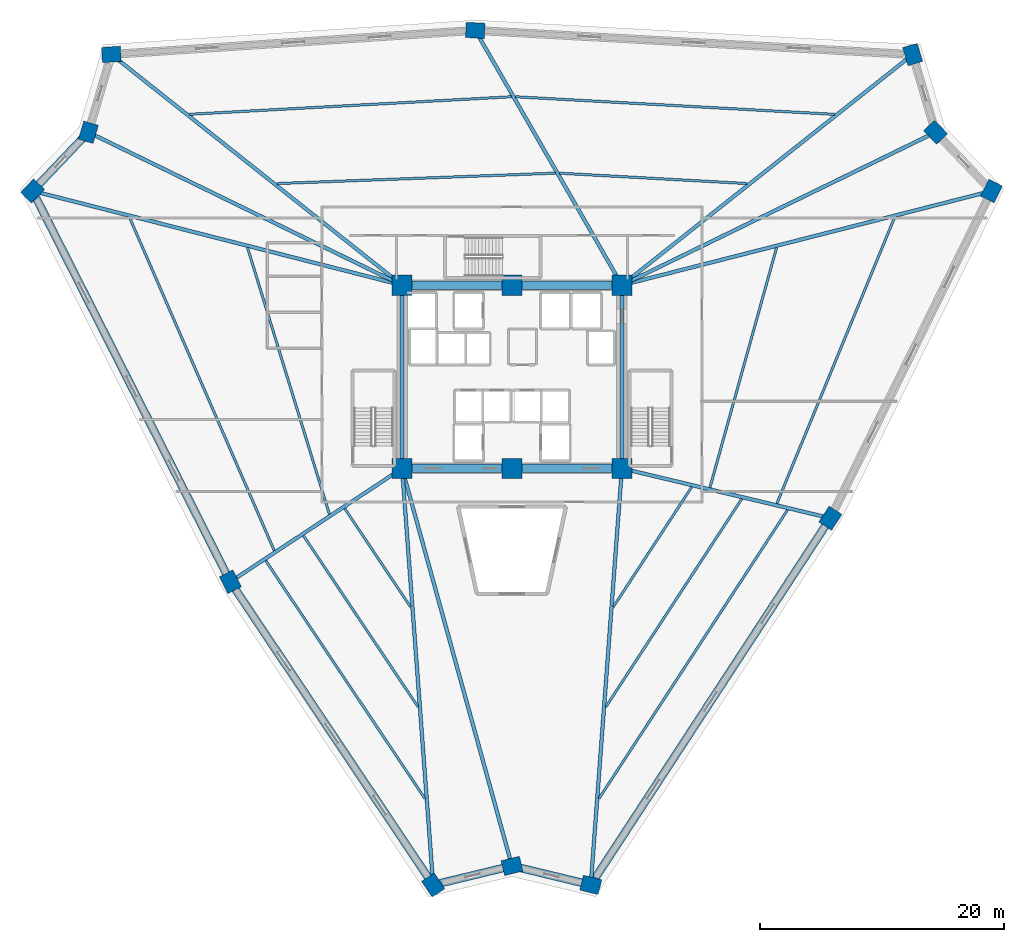
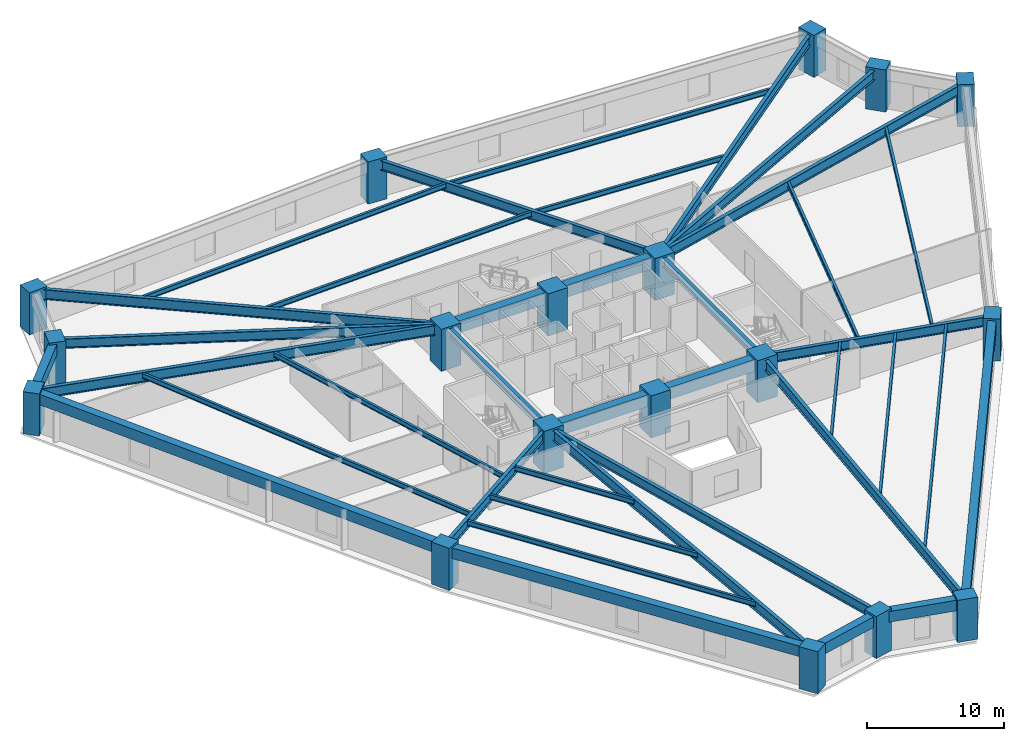
# One storey, part 1 of 8: 38 beams, 18 columns.
"""IFC4 building model written with IfcOpenShell, lengths in metres."""

import ifcopenshell
import ifcopenshell.guid

model = None  # the IFC model being written
_history = None  # IfcOwnerHistory: only IFC2X3 demands one
_inside = {}  # id of a spatial element -> (the spatial element, [elements in it])
_under = {}  # id of a project, library or spatial element -> (it, [spatial elements below it])
_declared = {}  # id of a project -> (the project, [libraries it declares])
_typed = {}  # id of a type object -> (the type object, [elements of that type])
_made_of = {}  # id of a material, layer set ... -> (it, [elements and type objects made of it])


def new_model(schema):
    """Start an empty IFC model of exactly this schema.

    Asked for "IFC4X3", IfcOpenShell would pick the latest addendum, in which some entities
    have other attributes; the version numbers below select the first issue.
    IFC2X3 requires an IfcOwnerHistory on every rooted entity: one is made here for all.
    """
    global model, _history
    if schema == "IFC4X3":
        model = ifcopenshell.file(schema_version=(4, 3, 0, 0))
    else:
        model = ifcopenshell.file(schema=schema)
    _inside.clear()
    _under.clear()
    _declared.clear()
    _typed.clear()
    _made_of.clear()
    _history = None
    if model.schema == "IFC2X3":
        org = make("IfcOrganization", Name="unknown")
        user = make(
            "IfcPersonAndOrganization",
            ThePerson=make("IfcPerson", FamilyName="unknown"),
            TheOrganization=org,
        )
        app = make(
            "IfcApplication",
            ApplicationDeveloper=org,
            Version="unknown",
            ApplicationFullName="unknown",
            ApplicationIdentifier="unknown",
        )
        _history = make(
            "IfcOwnerHistory",
            OwningUser=user,
            OwningApplication=app,
            ChangeAction="ADDED",
            CreationDate=0,
        )
    return model


def make(cls, **values):
    """One entity of the class cls with the attributes given. An attribute that is None is left unset."""
    return model.create_entity(
        cls, **{name: value for name, value in values.items() if value is not None}
    )


def rooted(cls, **values):
    """An entity with a GlobalId (a new one), such as an element, a storey or a relation."""
    return make(cls, GlobalId=ifcopenshell.guid.new(), OwnerHistory=_history, **values)


def si_unit(unit_type, name, prefix=None):
    """IfcSIUnit, for example si_unit("LENGTHUNIT", "METRE", prefix="MILLI")."""
    return make("IfcSIUnit", UnitType=unit_type, Prefix=prefix, Name=name)


def assignment(units):
    """IfcUnitAssignment: the units of a project."""
    return None if units is None else make("IfcUnitAssignment", Units=units)


def point(xyz):
    """IfcCartesianPoint."""
    return None if xyz is None else make("IfcCartesianPoint", Coordinates=xyz)


def direction(xyz):
    """IfcDirection."""
    return None if xyz is None else make("IfcDirection", DirectionRatios=xyz)


def frame(location, z_axis=None, x_axis=None):
    """IfcAxis2Placement3D, a coordinate frame: its origin and axes. An axis left out is left unset."""
    return make(
        "IfcAxis2Placement3D",
        Location=point(location),
        Axis=direction(z_axis),
        RefDirection=direction(x_axis),
    )


def frame_2d(location, x_axis=None):
    """IfcAxis2Placement2D, a coordinate frame in the plane: its origin and x axis."""
    return make(
        "IfcAxis2Placement2D", Location=point(location), RefDirection=direction(x_axis)
    )


def origin():
    """The frame at (0, 0, 0) with its axes left unset."""
    return frame((0.0, 0.0, 0.0))


def origin_2d():
    """The frame at (0, 0) in the plane with its x axis left unset."""
    return frame_2d((0.0, 0.0))


def place(relative_to, where):
    """IfcLocalPlacement: puts the frame where relative to a parent placement (None: the world)."""
    return make(
        "IfcLocalPlacement", PlacementRelTo=relative_to, RelativePlacement=where
    )


def context(
    kind, dimensions, precision=None, world=None, true_north=None, identifier=None
):
    """IfcGeometricRepresentationContext, for example the 3D "Model" context."""
    return make(
        "IfcGeometricRepresentationContext",
        ContextIdentifier=identifier,
        ContextType=kind,
        CoordinateSpaceDimension=dimensions,
        Precision=precision,
        WorldCoordinateSystem=world,
        TrueNorth=true_north,
    )


def subcontext(parent, identifier, kind, view, scale=None):
    """IfcGeometricRepresentationSubContext, for example "Body" below "Model"."""
    return make(
        "IfcGeometricRepresentationSubContext",
        ContextIdentifier=identifier,
        ContextType=kind,
        ParentContext=parent,
        TargetScale=scale,
        TargetView=view,
    )


def project(units=None, contexts=None):
    """IfcProject with its units and contexts."""
    return rooted(
        "IfcProject",
        Name="project",
        RepresentationContexts=contexts,
        UnitsInContext=assignment(units),
    )


def spatial(cls, under=None, at=None, **own):
    """A site, building, storey or space (cls), placed at a placement, below another one or the project."""
    s = rooted(cls, ObjectPlacement=at, **own)
    if under is not None:
        _under.setdefault(under.id(), (under, []))[1].append(s)
    return s


def profile(cls, at=None, kind="AREA", **sizes):
    """A parametric profile (cls). Its sizes go by their IFC names, for example OverallWidth=200.0."""
    return make(cls, ProfileType=kind, Position=at, **sizes)


def rectangle(**sizes):
    """IfcRectangleProfileDef."""
    return profile("IfcRectangleProfileDef", **sizes)


def i_section(**sizes):
    """IfcIShapeProfileDef."""
    return profile("IfcIShapeProfileDef", **sizes)


def extrude(swept, where, along, depth):
    """IfcExtrudedAreaSolid: the profile swept, set in the frame where, extruded along a direction by depth."""
    return make(
        "IfcExtrudedAreaSolid",
        SweptArea=swept,
        Position=where,
        ExtrudedDirection=direction(along),
        Depth=depth,
    )


def shape(context_of_items, identifier, shape_type, items):
    """IfcShapeRepresentation: the items that make up one representation, for example the "Body"."""
    return make(
        "IfcShapeRepresentation",
        ContextOfItems=context_of_items,
        RepresentationIdentifier=identifier,
        RepresentationType=shape_type,
        Items=items,
    )


def source(mapping_origin, context_of_items, identifier, shape_type, items):
    """IfcRepresentationMap: a shape defined once, which mapped items show again and again."""
    return make(
        "IfcRepresentationMap",
        MappingOrigin=mapping_origin,
        MappedRepresentation=shape(context_of_items, identifier, shape_type, items),
    )


def transform(
    local_origin,
    x_axis=None,
    y_axis=None,
    z_axis=None,
    scale=None,
    scale2=None,
    scale3=None,
    uniform=True,
):
    """IfcCartesianTransformationOperator3D, or its non-uniform kind. x_axis, y_axis, z_axis: its Axis1, 2, 3."""
    if uniform:
        return make(
            "IfcCartesianTransformationOperator3D",
            Axis1=direction(x_axis),
            Axis2=direction(y_axis),
            LocalOrigin=point(local_origin),
            Scale=scale,
            Axis3=direction(z_axis),
        )
    return make(
        "IfcCartesianTransformationOperator3DnonUniform",
        Axis1=direction(x_axis),
        Axis2=direction(y_axis),
        LocalOrigin=point(local_origin),
        Scale=scale,
        Axis3=direction(z_axis),
        Scale2=scale2,
        Scale3=scale3,
    )


def mapped(mapping_source, mapping_target):
    """IfcMappedItem: shows the shape of a source again, moved by a transform."""
    return make(
        "IfcMappedItem", MappingSource=mapping_source, MappingTarget=mapping_target
    )


def material(Name=None, Category=None):
    """IfcMaterial."""
    return make("IfcMaterial", Name=Name, Category=Category)


def material_profile(
    of_material, cross_section, Name=None, Category=None, Priority=None
):
    """IfcMaterialProfile: a cross section and its material."""
    return make(
        "IfcMaterialProfile",
        Name=Name,
        Material=of_material,
        Profile=cross_section,
        Priority=Priority,
        Category=Category,
    )


def profile_set(profiles, Name=None, composite=None):
    """IfcMaterialProfileSet."""
    return make(
        "IfcMaterialProfileSet",
        Name=Name,
        MaterialProfiles=profiles,
        CompositeProfile=composite,
    )


def made_of(thing, what):
    """Note that an element or type object is made of a material, layer set ...; save() writes the relation."""
    if what is not None:
        _made_of.setdefault(what.id(), (what, []))[1].append(thing)
    return thing


def type_object(cls, material=None, **own):
    """A type object (cls), such as IfcWallType, which elements share."""
    return made_of(rooted(cls, **own), material)


def element(
    cls,
    number,
    at=None,
    inside=None,
    cuts=None,
    type_object=None,
    material=None,
    context=None,
    identifier="Body",
    shape_type=None,
    held_by="IfcProductDefinitionShape",
    body=None,
    shapes=None,
    **own,
):
    """One element of the class cls, such as IfcWall. Its Tag is "e" and its number.

    at: its placement. inside: the storey or other place that contains it. cuts: it is an
    opening in that element (IfcRelVoidsElement). A single representation is given by context,
    identifier, shape_type and body (its items); several are given by shapes. held_by: the class
    of the entity that holds the representations. save() writes the other relations.
    """
    e = rooted(cls, Tag="e%d" % number, ObjectPlacement=at, **own)
    if body is not None:
        shapes = [shape(context, identifier, shape_type, body)]
    if shapes is not None:
        e.Representation = make(held_by, Representations=shapes)
    if inside is not None:
        _inside.setdefault(inside.id(), (inside, []))[1].append(e)
    if cuts is not None:
        rooted(
            "IfcRelVoidsElement", RelatingBuildingElement=cuts, RelatedOpeningElement=e
        )
    if type_object is not None:
        _typed.setdefault(type_object.id(), (type_object, []))[1].append(e)
    return made_of(e, material)


def aggregate(whole, parts):
    """IfcRelAggregates: a whole, such as a stair, and the parts it consists of."""
    return rooted("IfcRelAggregates", RelatingObject=whole, RelatedObjects=parts)


def save(model, path):
    """Write the relations noted so far, then the file.

    IfcRelAggregates (storeys below a building ...), IfcRelContainedInSpatialStructure (elements
    in a storey), IfcRelDefinesByType, IfcRelAssociatesMaterial and IfcRelDeclares: one each for
    every whole, place, type object, material and project.
    """
    for whole, parts in _under.values():
        aggregate(whole, parts)
    for where, things in _inside.values():
        rooted(
            "IfcRelContainedInSpatialStructure",
            RelatedElements=things,
            RelatingStructure=where,
        )
    for kind, things in _typed.values():
        rooted("IfcRelDefinesByType", RelatedObjects=things, RelatingType=kind)
    for what, things in _made_of.values():
        rooted("IfcRelAssociatesMaterial", RelatedObjects=things, RelatingMaterial=what)
    for by, libraries in _declared.values():
        rooted("IfcRelDeclares", RelatingContext=by, RelatedDefinitions=libraries)
    model.write(path)


model = new_model("IFC4")

# Units and contexts
model_context = context("Model", 3, precision=1e-05, world=origin(), true_north=direction((0.0, 1.0)))
body_context = subcontext(model_context, "Body", "Model", "MODEL_VIEW")
ifc_project = project(units=[si_unit("LENGTHUNIT", "METRE"), si_unit("AREAUNIT", "SQUARE_METRE"), si_unit("VOLUMEUNIT", "CUBIC_METRE"), si_unit("PLANEANGLEUNIT", "RADIAN"), si_unit("MASSUNIT", "GRAM", prefix="KILO")], contexts=[model_context])

# Site, building, storey
site_placement = place(None, origin())
site = spatial("IfcSite", under=ifc_project, at=site_placement, CompositionType="ELEMENT")
building_placement = place(site_placement, origin())
building = spatial("IfcBuilding", under=site, at=building_placement, Name="Liaohun Quay Tower", CompositionType="ELEMENT")
storey_placement = place(building_placement, frame((0.0, 0.0, 32.25)))
storey = spatial("IfcBuildingStorey", under=building, at=storey_placement, Name="L08", CompositionType="ELEMENT", Elevation=32.25)

# Columns
ifc_material_1 = material(Name="Concrete C60", Category="concrete")
ifc_material_profile_1 = material_profile(ifc_material_1, rectangle(XDim=1.64990234375, YDim=1.64990234375, at=origin_2d()), Name="RC1650x1650")
ifc_profile_set_1 = profile_set([ifc_material_profile_1], Name="Concrete C60")
column_type_1 = type_object("IfcColumnType", Name="COL-CC-Z1", PredefinedType="COLUMN", material=ifc_profile_set_1)
shared_shape_1 = source(origin(), body_context, "Body", "SweptSolid", [
    extrude(rectangle(XDim=1.64990234375, YDim=1.64990234375, at=origin_2d()), origin(), (0.0, 0.0, 1.0), 3.75),
])
for number, where, z_axis, x_axis, name in (
    (1, (51.0, 46.5, 0.0), (0.0, 0.0, 1.0), (1.0, 0.0, 0.0), "L08 Core Column CC1"),
    (2, (60.0, 46.5, 0.0), (0.0, 0.0, 1.0), (1.0, 0.0, 0.0), "L08 Core Column CC2"),
    (3, (69.0, 46.5, 0.0), (0.0, 0.0, 1.0), (1.0, 0.0, 0.0), "L08 Core Column CC3"),
    (4, (69.0, 61.5, 0.0), (0.0, 0.0, 1.0), (1.0, 0.0, 0.0), "L08 Core Column CC4"),
    (5, (60.0, 61.5, 0.0), (0.0, 0.0, 1.0), (1.0, 0.0, 0.0), "L08 Core Column CC5"),
    (6, (51.0, 61.5, 0.0), (0.0, 0.0, 1.0), (1.0, 0.0, 0.0), "L08 Core Column CC6"),
):
    element("IfcColumn", number, at=place(storey_placement, frame(where, z_axis=z_axis, x_axis=x_axis)), inside=storey, type_object=column_type_1, Name=name, PredefinedType="COLUMN", context=body_context, shape_type="MappedRepresentation", body=[
        mapped(shared_shape_1, transform((0.0, 0.0, 0.0), x_axis=(1.0, 0.0, 0.0), y_axis=(0.0, 1.0, 0.0), z_axis=(0.0, 0.0, 1.0), scale=1.0)),
    ])
ifc_material_profile_2 = material_profile(ifc_material_1, rectangle(XDim=1.550048828125, YDim=1.25, at=origin_2d()), Name="RC1550x1250")
ifc_profile_set_2 = profile_set([ifc_material_profile_2], Name="Concrete C60")
column_type_2 = type_object("IfcColumnType", Name="COL-PIER-Z1", PredefinedType="COLUMN", material=ifc_profile_set_2)
shared_shape_2 = source(origin(), body_context, "Body", "SweptSolid", [
    extrude(rectangle(XDim=1.550048828125, YDim=1.25, at=origin_2d()), origin(), (0.0, 0.0, 1.0), 3.75),
])
for number, where, z_axis, x_axis, name in (
    (7, (53.5458984375, 12.39697265625, 0.0), (0.0, 0.0, 1.0), (-0.556005513314, 0.831178602446, 0.0), "L08 Perimeter Pier PC01"),
    (8, (36.94091796875, 37.217041015625, 0.0), (0.0, 0.0, 1.0), (-0.451500573218, 0.892270829056, 0.0), "L08 Perimeter Pier PC02"),
    (9, (20.748046875, 69.217041015625, 0.0), (0.0, 0.0, 1.0), (0.68936671806, 0.724412539946, 0.0), "L08 Perimeter Pier PC03"),
    (10, (25.321044921875, 74.02197265625, 0.0), (0.0, 0.0, 1.0), (0.282676303383, 0.959215360337, 0.0), "L08 Perimeter Pier PC04"),
    (11, (27.198974609375, 80.39111328125, 0.0), (0.0, 0.0, 1.0), (0.997824541457, 0.065925597951, 0.0), "L08 Perimeter Pier PC05"),
    (12, (56.9951171875, 82.360107421875, 0.0), (0.0, 0.0, 1.0), (-0.998479491627, 0.055124448298, 0.0), "L08 Perimeter Pier PC06"),
    (13, (92.802978515625, 80.384033203125, 0.0), (0.0, 0.0, 1.0), (-0.282676303383, 0.959215360337, 0.0), "L08 Perimeter Pier PC07"),
    (14, (94.678955078125, 74.02197265625, 0.0), (0.0, 0.0, 1.0), (-0.68936671806, 0.724412539946, 0.0), "L08 Perimeter Pier PC08"),
    (15, (99.256103515625, 69.2119140625, 0.0), (0.0, 0.0, 1.0), (0.441819028143, 0.897104200397, 0.0), "L08 Perimeter Pier PC09"),
    (16, (86.06396484375, 42.423095703125, 0.0), (0.0, 0.0, 1.0), (0.546978918409, 0.837146380758, 0.0), "L08 Perimeter Pier PC10"),
    (17, (66.447998046875, 12.39892578125, 0.0), (0.0, 0.0, 1.0), (-0.972043021443, 0.234802820391, 0.0), "L08 Perimeter Pier PC11"),
    (18, (60.0, 13.9560546875, 0.0), (0.0, 0.0, 1.0), (0.972043021443, 0.234802820391, 0.0), "L08 Perimeter Pier PC12"),
):
    element("IfcColumn", number, at=place(storey_placement, frame(where, z_axis=z_axis, x_axis=x_axis)), inside=storey, type_object=column_type_2, Name=name, PredefinedType="COLUMN", context=body_context, shape_type="MappedRepresentation", body=[
        mapped(shared_shape_2, transform((0.0, 0.0, 0.0), x_axis=(1.0, 0.0, 0.0), y_axis=(0.0, 1.0, 0.0), z_axis=(0.0, 0.0, 1.0), scale=1.0)),
    ])

# Beams
ifc_material_profile_3 = material_profile(ifc_material_1, rectangle(XDim=0.699951171875, YDim=1.050048828125, at=origin_2d()), Name="RC700x1050")
ifc_profile_set_3 = profile_set([ifc_material_profile_3], Name="Concrete C60")
beam_type_1 = type_object("IfcBeamType", Name="BM-CPL-1", PredefinedType="LINTEL", material=ifc_profile_set_3)
shared_shape_3 = source(origin(), body_context, "Body", "SweptSolid", [
    extrude(rectangle(XDim=0.699951171875, YDim=1.050048828125, at=origin_2d()), origin(), (0.0, 0.0, 1.0), 9.0),
])
for number, where, z_axis, x_axis, name in (
    (19, (51.0, 46.5, 3.044921875), (1.0, 0.0, 0.0), (0.0, 1.0, 0.0), "L08 Core Coupling/Ring Beam CC1-CC2"),
    (20, (60.0, 46.5, 3.044921875), (1.0, 0.0, 0.0), (0.0, 1.0, 0.0), "L08 Core Coupling/Ring Beam CC2-CC3"),
    (21, (69.0, 61.5, 3.044921875), (-1.0, 0.0, 0.0), (0.0, -1.0, 0.0), "L08 Core Coupling/Ring Beam CC4-CC5"),
    (22, (60.0, 61.5, 3.044921875), (-1.0, 0.0, 0.0), (0.0, -1.0, 0.0), "L08 Core Coupling/Ring Beam CC5-CC6"),
):
    element("IfcBeam", number, at=place(storey_placement, frame(where, z_axis=z_axis, x_axis=x_axis)), inside=storey, type_object=beam_type_1, Name=name, PredefinedType="LINTEL", context=body_context, shape_type="MappedRepresentation", body=[
        mapped(shared_shape_3, transform((0.0, 0.0, 0.0), x_axis=(1.0, 0.0, 0.0), y_axis=(0.0, 1.0, 0.0), z_axis=(0.0, 0.0, 1.0), scale=1.0)),
    ])
ifc_material_2 = material(Name="Steel Q355D", Category="steel")
ifc_material_profile_4 = material_profile(ifc_material_2, i_section(OverallWidth=0.300048828125, OverallDepth=0.800048828125, WebThickness=0.013916015625, FlangeThickness=0.02587890625, at=origin_2d()), Name="HN800x300x14x26")
ifc_profile_set_4 = profile_set([ifc_material_profile_4], Name="Steel Q355D")
beam_type_2 = type_object("IfcBeamType", Name="BM-RAD-M1", PredefinedType="BEAM", material=ifc_profile_set_4)
shared_shape_4 = source(origin(), body_context, "Body", "SweptSolid", [
    extrude(i_section(OverallWidth=0.300048828125, OverallDepth=0.800048828125, WebThickness=0.013916015625, FlangeThickness=0.02587890625, at=origin_2d()), origin(), (0.0, 0.0, 1.0), 15.0),
])
for number, where, z_axis, x_axis, name in (
    (23, (69.0, 46.5, 3.169921875), (0.0, 1.0, 0.0), (-1.0, 0.0, 0.0), "L08 Core Coupling/Ring Beam CC3-CC4"),
    (24, (51.0, 61.5, 3.169921875), (0.0, -1.0, 0.0), (1.0, 0.0, 0.0), "L08 Core Coupling/Ring Beam CC6-CC1"),
):
    element("IfcBeam", number, at=place(storey_placement, frame(where, z_axis=z_axis, x_axis=x_axis)), inside=storey, type_object=beam_type_2, Name=name, PredefinedType="BEAM", context=body_context, shape_type="MappedRepresentation", body=[
        mapped(shared_shape_4, transform((0.0, 0.0, 0.0), x_axis=(1.0, 0.0, 0.0), y_axis=(0.0, 1.0, 0.0), z_axis=(0.0, 0.0, 1.0), scale=1.0)),
    ])
ifc_material_3 = material(Name="Precast concrete C55", Category="concrete")
ifc_material_profile_5 = material_profile(ifc_material_3, rectangle(XDim=0.64990234375, YDim=0.949951171875, at=origin_2d()), Name="RC650x950")
ifc_profile_set_5 = profile_set([ifc_material_profile_5], Name="Precast concrete C55")
beam_type_3 = type_object("IfcBeamType", Name="BM-SPD-Z1", PredefinedType="SPANDREL", material=ifc_profile_set_5)
shared_shape_5 = source(origin(), body_context, "Body", "SweptSolid", [
    extrude(rectangle(XDim=0.64990234375, YDim=0.949951171875, at=origin_2d()), origin(), (0.0, 0.0, 1.0), 29.8623046875),
])
beam_1_placement = place(storey_placement, frame((53.5458984375, 12.39697265625, 3.094970703125), z_axis=(-0.556050313847, 0.831148631997, 0.0), x_axis=(-0.831148631997, -0.556050313847, 0.0)))
element("IfcBeam", 25, at=beam_1_placement, inside=storey, type_object=beam_type_3, Name="L08 Precast Spandrel Beam PC01-PC02", PredefinedType="SPANDREL", context=body_context, shape_type="MappedRepresentation", body=[
    mapped(shared_shape_5, transform((0.0, 0.0, 0.0), x_axis=(1.0, 0.0, 0.0), y_axis=(0.0, 1.0, 0.0), z_axis=(0.0, 0.0, 1.0), scale=1.0)),
])
shared_shape_6 = source(origin(), body_context, "Body", "SweptSolid", [
    extrude(rectangle(XDim=0.64990234375, YDim=0.949951171875, at=origin_2d()), origin(), (0.0, 0.0, 1.0), 35.86376953125),
])
beam_2_placement = place(storey_placement, frame((36.94091796875, 37.217041015625, 3.094970703125), z_axis=(-0.451510728303, 0.892265690379, 0.0), x_axis=(-0.892265690379, -0.451510728303, 0.0)))
element("IfcBeam", 26, at=beam_2_placement, inside=storey, type_object=beam_type_3, Name="L08 Precast Spandrel Beam PC02-PC03", PredefinedType="SPANDREL", context=body_context, shape_type="MappedRepresentation", body=[
    mapped(shared_shape_6, transform((0.0, 0.0, 0.0), x_axis=(1.0, 0.0, 0.0), y_axis=(0.0, 1.0, 0.0), z_axis=(0.0, 0.0, 1.0), scale=1.0)),
])
shared_shape_7 = source(origin(), body_context, "Body", "SweptSolid", [
    extrude(rectangle(XDim=0.64990234375, YDim=0.949951171875, at=origin_2d()), origin(), (0.0, 0.0, 1.0), 6.63330078125),
])
for number, where, z_axis, x_axis, name in (
    (27, (20.748046875, 69.217041015625, 3.094970703125), (0.689407908081, 0.724373340395, 0.0), (-0.724373340395, 0.689407908081, 0.0), "L08 Precast Spandrel Beam PC03-PC04"),
    (28, (66.447998046875, 12.39892578125, 3.094970703125), (-0.97205759762, 0.234742469335, 0.0), (-0.234742469335, -0.97205759762, 0.0), "L08 Precast Spandrel Beam PC11-PC12"),
):
    element("IfcBeam", number, at=place(storey_placement, frame(where, z_axis=z_axis, x_axis=x_axis)), inside=storey, type_object=beam_type_3, Name=name, PredefinedType="SPANDREL", context=body_context, shape_type="MappedRepresentation", body=[
        mapped(shared_shape_7, transform((0.0, 0.0, 0.0), x_axis=(1.0, 0.0, 0.0), y_axis=(0.0, 1.0, 0.0), z_axis=(0.0, 0.0, 1.0), scale=1.0)),
    ])
shared_shape_8 = source(origin(), body_context, "Body", "SweptSolid", [
    extrude(rectangle(XDim=0.64990234375, YDim=0.949951171875, at=origin_2d()), origin(), (0.0, 0.0, 1.0), 35.8642578125),
])
beam_3_placement = place(storey_placement, frame((86.06396484375, 42.423095703125, 3.094970703125), z_axis=(-0.546952019075, -0.837163955764, 0.0), x_axis=(0.837163955764, -0.546952019075, 0.0)))
element("IfcBeam", 29, at=beam_3_placement, inside=storey, type_object=beam_type_3, Name="L08 Precast Spandrel Beam PC10-PC11", PredefinedType="SPANDREL", context=body_context, shape_type="MappedRepresentation", body=[
    mapped(shared_shape_8, transform((0.0, 0.0, 0.0), x_axis=(1.0, 0.0, 0.0), y_axis=(0.0, 1.0, 0.0), z_axis=(0.0, 0.0, 1.0), scale=1.0)),
])
shared_shape_9 = source(origin(), body_context, "Body", "SweptSolid", [
    extrude(rectangle(XDim=0.64990234375, YDim=0.949951171875, at=origin_2d()), origin(), (0.0, 0.0, 1.0), 6.6396484375),
])
beam_4_placement = place(storey_placement, frame((60.0, 13.9560546875, 3.094970703125), z_axis=(-0.972041127414, -0.234810661207, 0.0), x_axis=(0.234810661207, -0.972041127414, 0.0)))
element("IfcBeam", 30, at=beam_4_placement, inside=storey, type_object=beam_type_3, Name="L08 Precast Spandrel Beam PC12-PC01", PredefinedType="SPANDREL", context=body_context, shape_type="MappedRepresentation", body=[
    mapped(shared_shape_9, transform((0.0, 0.0, 0.0), x_axis=(1.0, 0.0, 0.0), y_axis=(0.0, 1.0, 0.0), z_axis=(0.0, 0.0, 1.0), scale=1.0)),
])
ifc_material_4 = material(Name="Steel Q420D", Category="steel")
ifc_material_profile_6 = material_profile(ifc_material_4, i_section(OverallWidth=0.300048828125, OverallDepth=0.89990234375, WebThickness=0.01611328125, FlangeThickness=0.028076171875, at=origin_2d()), Name="HN900x300x16x28")
ifc_profile_set_6 = profile_set([ifc_material_profile_6], Name="Steel Q420D")
beam_type_4 = type_object("IfcBeamType", Name="BM-RAD-H1", PredefinedType="BEAM", material=ifc_profile_set_6)
shared_shape_10 = source(origin(), body_context, "Body", "SweptSolid", [
    extrude(i_section(OverallWidth=0.300048828125, OverallDepth=0.89990234375, WebThickness=0.01611328125, FlangeThickness=0.028076171875, at=origin_2d()), origin(), (0.0, 0.0, 1.0), 34.197998046875),
])
beam_5_placement = place(storey_placement, frame((51.0, 46.5, 3.1201171875), z_axis=(0.074445991652, -0.997225046981, 0.0), x_axis=(0.997225046981, 0.074445991652, 0.0)))
element("IfcBeam", 31, at=beam_5_placement, inside=storey, type_object=beam_type_4, Name="L08 Radial Primary Girder CC1-PC01", PredefinedType="BEAM", context=body_context, shape_type="MappedRepresentation", body=[
    mapped(shared_shape_10, transform((0.0, 0.0, 0.0), x_axis=(1.0, 0.0, 0.0), y_axis=(0.0, 1.0, 0.0), z_axis=(0.0, 0.0, 1.0), scale=1.0)),
])
ifc_material_profile_7 = material_profile(ifc_material_2, i_section(OverallWidth=0.300048828125, OverallDepth=0.85009765625, WebThickness=0.01611328125, FlangeThickness=0.028076171875, at=origin_2d()), Name="HN850x300x16x28")
ifc_profile_set_7 = profile_set([ifc_material_profile_7], Name="Steel Q355D")
beam_type_5 = type_object("IfcBeamType", Name="BM-RAD-H2", PredefinedType="BEAM", material=ifc_profile_set_7)
shared_shape_11 = source(origin(), body_context, "Body", "SweptSolid", [
    extrude(i_section(OverallWidth=0.300048828125, OverallDepth=0.85009765625, WebThickness=0.01611328125, FlangeThickness=0.028076171875, at=origin_2d()), origin(), (0.0, 0.0, 1.0), 16.84716796875),
])
beam_6_placement = place(storey_placement, frame((51.0, 46.5, 3.14501953125), z_axis=(-0.834501195619, -0.551006129285, 0.0), x_axis=(0.551006129285, -0.834501195619, 0.0)))
element("IfcBeam", 32, at=beam_6_placement, inside=storey, type_object=beam_type_5, Name="L08 Radial Primary Girder CC1-PC02", PredefinedType="BEAM", context=body_context, shape_type="MappedRepresentation", body=[
    mapped(shared_shape_11, transform((0.0, 0.0, 0.0), x_axis=(1.0, 0.0, 0.0), y_axis=(0.0, 1.0, 0.0), z_axis=(0.0, 0.0, 1.0), scale=1.0)),
])
shared_shape_12 = source(origin(), body_context, "Body", "SweptSolid", [
    extrude(i_section(OverallWidth=0.300048828125, OverallDepth=0.89990234375, WebThickness=0.01611328125, FlangeThickness=0.028076171875, at=origin_2d()), origin(), (0.0, 0.0, 1.0), 31.220703125),
])
beam_7_placement = place(storey_placement, frame((51.0, 61.5, 3.1201171875), z_axis=(-0.968970370292, 0.247176903242, 0.0), x_axis=(-0.247176903242, -0.968970370292, 0.0)))
element("IfcBeam", 33, at=beam_7_placement, inside=storey, type_object=beam_type_4, Name="L08 Radial Primary Girder CC6-PC03", PredefinedType="BEAM", context=body_context, shape_type="MappedRepresentation", body=[
    mapped(shared_shape_12, transform((0.0, 0.0, 0.0), x_axis=(1.0, 0.0, 0.0), y_axis=(0.0, 1.0, 0.0), z_axis=(0.0, 0.0, 1.0), scale=1.0)),
])
shared_shape_13 = source(origin(), body_context, "Body", "SweptSolid", [
    extrude(i_section(OverallWidth=0.300048828125, OverallDepth=0.85009765625, WebThickness=0.01611328125, FlangeThickness=0.028076171875, at=origin_2d()), origin(), (0.0, 0.0, 1.0), 28.5693359375),
])
for number, where, z_axis, x_axis, name in (
    (34, (51.0, 61.5, 3.14501953125), (-0.89882839153, 0.438300721628, 0.0), (-0.438300721628, -0.89882839153, 0.0), "L08 Radial Primary Girder CC6-PC04"),
    (35, (69.0, 61.5, 3.14501953125), (0.89882839153, 0.438300721628, 0.0), (-0.438300721628, 0.89882839153, 0.0), "L08 Radial Primary Girder CC4-PC08"),
):
    element("IfcBeam", number, at=place(storey_placement, frame(where, z_axis=z_axis, x_axis=x_axis)), inside=storey, type_object=beam_type_5, Name=name, PredefinedType="BEAM", context=body_context, shape_type="MappedRepresentation", body=[
        mapped(shared_shape_13, transform((0.0, 0.0, 0.0), x_axis=(1.0, 0.0, 0.0), y_axis=(0.0, 1.0, 0.0), z_axis=(0.0, 0.0, 1.0), scale=1.0)),
    ])
shared_shape_14 = source(origin(), body_context, "Body", "SweptSolid", [
    extrude(i_section(OverallWidth=0.300048828125, OverallDepth=0.89990234375, WebThickness=0.01611328125, FlangeThickness=0.028076171875, at=origin_2d()), origin(), (0.0, 0.0, 1.0), 30.386962890625),
])
beam_8_placement = place(storey_placement, frame((51.0, 61.5, 3.1201171875), z_axis=(-0.783266298389, 0.621686340374, 0.0), x_axis=(-0.621686340374, -0.783266298389, 0.0)))
element("IfcBeam", 36, at=beam_8_placement, inside=storey, type_object=beam_type_4, Name="L08 Radial Primary Girder CC6-PC05", PredefinedType="BEAM", context=body_context, shape_type="MappedRepresentation", body=[
    mapped(shared_shape_14, transform((0.0, 0.0, 0.0), x_axis=(1.0, 0.0, 0.0), y_axis=(0.0, 1.0, 0.0), z_axis=(0.0, 0.0, 1.0), scale=1.0)),
])
shared_shape_15 = source(origin(), body_context, "Body", "SweptSolid", [
    extrude(i_section(OverallWidth=0.300048828125, OverallDepth=0.85009765625, WebThickness=0.01611328125, FlangeThickness=0.028076171875, at=origin_2d()), origin(), (0.0, 0.0, 1.0), 24.06787109375),
])
beam_9_placement = place(storey_placement, frame((69.0, 61.5, 3.14501953125), z_axis=(-0.498793367869, 0.866720933271, 0.0), x_axis=(-0.866720933271, -0.498793367869, 0.0)))
element("IfcBeam", 37, at=beam_9_placement, inside=storey, type_object=beam_type_5, Name="L08 Radial Primary Girder CC4-PC06", PredefinedType="BEAM", context=body_context, shape_type="MappedRepresentation", body=[
    mapped(shared_shape_15, transform((0.0, 0.0, 0.0), x_axis=(1.0, 0.0, 0.0), y_axis=(0.0, 1.0, 0.0), z_axis=(0.0, 0.0, 1.0), scale=1.0)),
])
shared_shape_16 = source(origin(), body_context, "Body", "SweptSolid", [
    extrude(i_section(OverallWidth=0.300048828125, OverallDepth=0.89990234375, WebThickness=0.01611328125, FlangeThickness=0.028076171875, at=origin_2d()), origin(), (0.0, 0.0, 1.0), 30.384033203125),
])
beam_10_placement = place(storey_placement, frame((69.0, 61.5, 3.1201171875), z_axis=(0.783404591405, 0.621512064377, 0.0), x_axis=(-0.621512064377, 0.783404591405, 0.0)))
element("IfcBeam", 38, at=beam_10_placement, inside=storey, type_object=beam_type_4, Name="L08 Radial Primary Girder CC4-PC07", PredefinedType="BEAM", context=body_context, shape_type="MappedRepresentation", body=[
    mapped(shared_shape_16, transform((0.0, 0.0, 0.0), x_axis=(1.0, 0.0, 0.0), y_axis=(0.0, 1.0, 0.0), z_axis=(0.0, 0.0, 1.0), scale=1.0)),
])
shared_shape_17 = source(origin(), body_context, "Body", "SweptSolid", [
    extrude(i_section(OverallWidth=0.300048828125, OverallDepth=0.89990234375, WebThickness=0.01611328125, FlangeThickness=0.028076171875, at=origin_2d()), origin(), (0.0, 0.0, 1.0), 31.223388671875),
])
beam_11_placement = place(storey_placement, frame((69.0, 61.5, 3.1201171875), z_axis=(0.969017801214, 0.246990892404, 0.0), x_axis=(-0.246990892404, 0.969017801214, 0.0)))
element("IfcBeam", 39, at=beam_11_placement, inside=storey, type_object=beam_type_4, Name="L08 Radial Primary Girder CC4-PC09", PredefinedType="BEAM", context=body_context, shape_type="MappedRepresentation", body=[
    mapped(shared_shape_17, transform((0.0, 0.0, 0.0), x_axis=(1.0, 0.0, 0.0), y_axis=(0.0, 1.0, 0.0), z_axis=(0.0, 0.0, 1.0), scale=1.0)),
])
shared_shape_18 = source(origin(), body_context, "Body", "SweptSolid", [
    extrude(i_section(OverallWidth=0.300048828125, OverallDepth=0.85009765625, WebThickness=0.01611328125, FlangeThickness=0.028076171875, at=origin_2d()), origin(), (0.0, 0.0, 1.0), 17.544189453125),
])
beam_12_placement = place(storey_placement, frame((69.0, 46.5, 3.14501953125), z_axis=(0.972625403076, -0.23237862486, 0.0), x_axis=(0.23237862486, 0.972625403076, 0.0)))
element("IfcBeam", 40, at=beam_12_placement, inside=storey, type_object=beam_type_5, Name="L08 Radial Primary Girder CC3-PC10", PredefinedType="BEAM", context=body_context, shape_type="MappedRepresentation", body=[
    mapped(shared_shape_18, transform((0.0, 0.0, 0.0), x_axis=(1.0, 0.0, 0.0), y_axis=(0.0, 1.0, 0.0), z_axis=(0.0, 0.0, 1.0), scale=1.0)),
])
shared_shape_19 = source(origin(), body_context, "Body", "SweptSolid", [
    extrude(i_section(OverallWidth=0.300048828125, OverallDepth=0.89990234375, WebThickness=0.01611328125, FlangeThickness=0.028076171875, at=origin_2d()), origin(), (0.0, 0.0, 1.0), 34.196533203125),
])
beam_13_placement = place(storey_placement, frame((69.0, 46.5, 3.1201171875), z_axis=(-0.074627725384, -0.997211463334, 0.0), x_axis=(0.997211463334, -0.074627725384, 0.0)))
element("IfcBeam", 41, at=beam_13_placement, inside=storey, type_object=beam_type_4, Name="L08 Radial Primary Girder CC3-PC11", PredefinedType="BEAM", context=body_context, shape_type="MappedRepresentation", body=[
    mapped(shared_shape_19, transform((0.0, 0.0, 0.0), x_axis=(1.0, 0.0, 0.0), y_axis=(0.0, 1.0, 0.0), z_axis=(0.0, 0.0, 1.0), scale=1.0)),
])
shared_shape_20 = source(origin(), body_context, "Body", "SweptSolid", [
    extrude(i_section(OverallWidth=0.300048828125, OverallDepth=0.85009765625, WebThickness=0.01611328125, FlangeThickness=0.028076171875, at=origin_2d()), origin(), (0.0, 0.0, 1.0), 33.765380859375),
])
beam_14_placement = place(storey_placement, frame((51.0, 46.5, 3.14501953125), z_axis=(0.266544325494, -0.963822661358, 0.0), x_axis=(0.963822661358, 0.266544325494, 0.0)))
element("IfcBeam", 42, at=beam_14_placement, inside=storey, type_object=beam_type_5, Name="L08 Radial Primary Girder CC1-PC12", PredefinedType="BEAM", context=body_context, shape_type="MappedRepresentation", body=[
    mapped(shared_shape_20, transform((0.0, 0.0, 0.0), x_axis=(1.0, 0.0, 0.0), y_axis=(0.0, 1.0, 0.0), z_axis=(0.0, 0.0, 1.0), scale=1.0)),
])
ifc_material_profile_8 = material_profile(ifc_material_2, i_section(OverallWidth=0.199951171875, OverallDepth=0.449951171875, WebThickness=0.009033203125, FlangeThickness=0.013916015625, at=origin_2d()), Name="HN450x200x9x14")
ifc_profile_set_8 = profile_set([ifc_material_profile_8], Name="Steel Q355D")
beam_type_6 = type_object("IfcBeamType", Name="BM-SEC-J1", PredefinedType="JOIST", material=ifc_profile_set_8)
shared_shape_21 = source(origin(), body_context, "Body", "SweptSolid", [
    extrude(i_section(OverallWidth=0.199951171875, OverallDepth=0.449951171875, WebThickness=0.009033203125, FlangeThickness=0.013916015625, at=origin_2d()), origin(), (0.0, 0.0, 1.0), 9.69873046875),
])
beam_15_placement = place(storey_placement, frame((51.696044921875, 35.157958984375, 3.344970703125), z_axis=(-0.556058766697, 0.831142976858, 0.0), x_axis=(-0.831142976858, -0.556058766697, 0.0)))
element("IfcBeam", 43, at=beam_15_placement, inside=storey, type_object=beam_type_6, Name="L08 Wing Secondary Floor Joist SJ-01", PredefinedType="JOIST", context=body_context, shape_type="MappedRepresentation", body=[
    mapped(shared_shape_21, transform((0.0, 0.0, 0.0), x_axis=(1.0, 0.0, 0.0), y_axis=(0.0, 1.0, 0.0), z_axis=(0.0, 0.0, 1.0), scale=1.0)),
])
shared_shape_22 = source(origin(), body_context, "Body", "SweptSolid", [
    extrude(i_section(OverallWidth=0.199951171875, OverallDepth=0.449951171875, WebThickness=0.009033203125, FlangeThickness=0.013916015625, at=origin_2d()), origin(), (0.0, 0.0, 1.0), 16.86572265625),
])
beam_16_placement = place(storey_placement, frame((52.306884765625, 26.972900390625, 3.344970703125), z_axis=(-0.556035687629, 0.83115841696, 0.0), x_axis=(-0.83115841696, -0.556035687629, 0.0)))
element("IfcBeam", 44, at=beam_16_placement, inside=storey, type_object=beam_type_6, Name="L08 Wing Secondary Floor Joist SJ-02", PredefinedType="JOIST", context=body_context, shape_type="MappedRepresentation", body=[
    mapped(shared_shape_22, transform((0.0, 0.0, 0.0), x_axis=(1.0, 0.0, 0.0), y_axis=(0.0, 1.0, 0.0), z_axis=(0.0, 0.0, 1.0), scale=1.0)),
])
shared_shape_23 = source(origin(), body_context, "Body", "SweptSolid", [
    extrude(i_section(OverallWidth=0.199951171875, OverallDepth=0.449951171875, WebThickness=0.009033203125, FlangeThickness=0.013916015625, at=origin_2d()), origin(), (0.0, 0.0, 1.0), 23.43505859375),
])
beam_17_placement = place(storey_placement, frame((52.866943359375, 19.470947265625, 3.344970703125), z_axis=(-0.556048167295, 0.831150068067, 0.0), x_axis=(-0.831150068067, -0.556048167295, 0.0)))
element("IfcBeam", 45, at=beam_17_placement, inside=storey, type_object=beam_type_6, Name="L08 Wing Secondary Floor Joist SJ-03", PredefinedType="JOIST", context=body_context, shape_type="MappedRepresentation", body=[
    mapped(shared_shape_23, transform((0.0, 0.0, 0.0), x_axis=(1.0, 0.0, 0.0), y_axis=(0.0, 1.0, 0.0), z_axis=(0.0, 0.0, 1.0), scale=1.0)),
])
shared_shape_24 = source(origin(), body_context, "Body", "SweptSolid", [
    extrude(i_section(OverallWidth=0.199951171875, OverallDepth=0.449951171875, WebThickness=0.009033203125, FlangeThickness=0.013916015625, at=origin_2d()), origin(), (0.0, 0.0, 1.0), 22.828369140625),
])
beam_18_placement = place(storey_placement, frame((45.049072265625, 42.7509765625, 3.344970703125), z_axis=(-0.293631900675, 0.955918567089, 0.0), x_axis=(-0.955918567089, -0.293631900675, 0.0)))
element("IfcBeam", 46, at=beam_18_placement, inside=storey, type_object=beam_type_6, Name="L08 Wing Secondary Floor Joist SJ-04", PredefinedType="JOIST", context=body_context, shape_type="MappedRepresentation", body=[
    mapped(shared_shape_24, transform((0.0, 0.0, 0.0), x_axis=(1.0, 0.0, 0.0), y_axis=(0.0, 1.0, 0.0), z_axis=(0.0, 0.0, 1.0), scale=1.0)),
])
shared_shape_25 = source(origin(), body_context, "Body", "SweptSolid", [
    extrude(i_section(OverallWidth=0.199951171875, OverallDepth=0.449951171875, WebThickness=0.009033203125, FlangeThickness=0.013916015625, at=origin_2d()), origin(), (0.0, 0.0, 1.0), 29.728271484375),
])
beam_19_placement = place(storey_placement, frame((40.535888671875, 39.77001953125, 3.344970703125), z_axis=(-0.398505384191, 0.91716599303, 0.0), x_axis=(-0.91716599303, -0.398505384191, 0.0)))
element("IfcBeam", 47, at=beam_19_placement, inside=storey, type_object=beam_type_6, Name="L08 Wing Secondary Floor Joist SJ-05", PredefinedType="JOIST", context=body_context, shape_type="MappedRepresentation", body=[
    mapped(shared_shape_25, transform((0.0, 0.0, 0.0), x_axis=(1.0, 0.0, 0.0), y_axis=(0.0, 1.0, 0.0), z_axis=(0.0, 0.0, 1.0), scale=1.0)),
])
shared_shape_26 = source(origin(), body_context, "Body", "SweptSolid", [
    extrude(i_section(OverallWidth=0.199951171875, OverallDepth=0.449951171875, WebThickness=0.009033203125, FlangeThickness=0.013916015625, at=origin_2d()), origin(), (0.0, 0.0, 1.0), 22.805908203125),
])
beam_20_placement = place(storey_placement, frame((40.758056640625, 69.821044921875, 3.344970703125), z_axis=(0.999303436394, 0.037318119073, 0.0), x_axis=(-0.037318119073, 0.999303436394, 0.0)))
element("IfcBeam", 48, at=beam_20_placement, inside=storey, type_object=beam_type_6, Name="L08 Wing Secondary Floor Joist SJ-06", PredefinedType="JOIST", context=body_context, shape_type="MappedRepresentation", body=[
    mapped(shared_shape_26, transform((0.0, 0.0, 0.0), x_axis=(1.0, 0.0, 0.0), y_axis=(0.0, 1.0, 0.0), z_axis=(0.0, 0.0, 1.0), scale=1.0)),
])
shared_shape_27 = source(origin(), body_context, "Body", "SweptSolid", [
    extrude(i_section(OverallWidth=0.199951171875, OverallDepth=0.449951171875, WebThickness=0.009033203125, FlangeThickness=0.013916015625, at=origin_2d()), origin(), (0.0, 0.0, 1.0), 26.3740234375),
])
beam_21_placement = place(storey_placement, frame((33.613037109375, 75.491943359375, 3.344970703125), z_axis=(0.998518580621, 0.054411801618, 0.0), x_axis=(-0.054411801618, 0.998518580621, 0.0)))
element("IfcBeam", 49, at=beam_21_placement, inside=storey, type_object=beam_type_6, Name="L08 Wing Secondary Floor Joist SJ-07", PredefinedType="JOIST", context=body_context, shape_type="MappedRepresentation", body=[
    mapped(shared_shape_27, transform((0.0, 0.0, 0.0), x_axis=(1.0, 0.0, 0.0), y_axis=(0.0, 1.0, 0.0), z_axis=(0.0, 0.0, 1.0), scale=1.0)),
])
shared_shape_28 = source(origin(), body_context, "Body", "SweptSolid", [
    extrude(i_section(OverallWidth=0.199951171875, OverallDepth=0.449951171875, WebThickness=0.009033203125, FlangeThickness=0.013916015625, at=origin_2d()), origin(), (0.0, 0.0, 1.0), 15.37451171875),
])
beam_22_placement = place(storey_placement, frame((63.89697265625, 70.6689453125, 3.344970703125), z_axis=(0.998478087047, -0.055149883844, 0.0), x_axis=(0.055149883844, 0.998478087047, 0.0)))
element("IfcBeam", 50, at=beam_22_placement, inside=storey, type_object=beam_type_6, Name="L08 Wing Secondary Floor Joist SJ-08", PredefinedType="JOIST", context=body_context, shape_type="MappedRepresentation", body=[
    mapped(shared_shape_28, transform((0.0, 0.0, 0.0), x_axis=(1.0, 0.0, 0.0), y_axis=(0.0, 1.0, 0.0), z_axis=(0.0, 0.0, 1.0), scale=1.0)),
])
shared_shape_29 = source(origin(), body_context, "Body", "SweptSolid", [
    extrude(i_section(OverallWidth=0.199951171875, OverallDepth=0.449951171875, WebThickness=0.009033203125, FlangeThickness=0.013916015625, at=origin_2d()), origin(), (0.0, 0.0, 1.0), 26.1337890625),
])
beam_23_placement = place(storey_placement, frame((60.294921875, 76.927001953125, 3.344970703125), z_axis=(0.998480894147, -0.055099038311, 0.0), x_axis=(0.055099038311, 0.998480894147, 0.0)))
element("IfcBeam", 51, at=beam_23_placement, inside=storey, type_object=beam_type_6, Name="L08 Wing Secondary Floor Joist SJ-09", PredefinedType="JOIST", context=body_context, shape_type="MappedRepresentation", body=[
    mapped(shared_shape_29, transform((0.0, 0.0, 0.0), x_axis=(1.0, 0.0, 0.0), y_axis=(0.0, 1.0, 0.0), z_axis=(0.0, 0.0, 1.0), scale=1.0)),
])
shared_shape_30 = source(origin(), body_context, "Body", "SweptSolid", [
    extrude(i_section(OverallWidth=0.199951171875, OverallDepth=0.449951171875, WebThickness=0.009033203125, FlangeThickness=0.013916015625, at=origin_2d()), origin(), (0.0, 0.0, 1.0), 20.38330078125),
])
beam_24_placement = place(storey_placement, frame((81.660888671875, 64.572021484375, 3.344970703125), z_axis=(-0.267564790965, -0.963539870808, 0.0), x_axis=(0.963539870808, -0.267564790965, 0.0)))
element("IfcBeam", 52, at=beam_24_placement, inside=storey, type_object=beam_type_6, Name="L08 Wing Secondary Floor Joist SJ-10", PredefinedType="JOIST", context=body_context, shape_type="MappedRepresentation", body=[
    mapped(shared_shape_30, transform((0.0, 0.0, 0.0), x_axis=(1.0, 0.0, 0.0), y_axis=(0.0, 1.0, 0.0), z_axis=(0.0, 0.0, 1.0), scale=1.0)),
])
shared_shape_31 = source(origin(), body_context, "Body", "SweptSolid", [
    extrude(i_section(OverallWidth=0.199951171875, OverallDepth=0.449951171875, WebThickness=0.009033203125, FlangeThickness=0.013916015625, at=origin_2d()), origin(), (0.0, 0.0, 1.0), 25.3154296875),
])
beam_25_placement = place(storey_placement, frame((91.318115234375, 67.033935546875, 3.344970703125), z_axis=(-0.380522789167, -0.924771543098, 0.0), x_axis=(0.924771543098, -0.380522789167, 0.0)))
element("IfcBeam", 53, at=beam_25_placement, inside=storey, type_object=beam_type_6, Name="L08 Wing Secondary Floor Joist SJ-11", PredefinedType="JOIST", context=body_context, shape_type="MappedRepresentation", body=[
    mapped(shared_shape_31, transform((0.0, 0.0, 0.0), x_axis=(1.0, 0.0, 0.0), y_axis=(0.0, 1.0, 0.0), z_axis=(0.0, 0.0, 1.0), scale=1.0)),
])
shared_shape_32 = source(origin(), body_context, "Body", "SweptSolid", [
    extrude(i_section(OverallWidth=0.199951171875, OverallDepth=0.449951171875, WebThickness=0.009033203125, FlangeThickness=0.013916015625, at=origin_2d()), origin(), (0.0, 0.0, 1.0), 11.7236328125),
])
beam_26_placement = place(storey_placement, frame((74.715087890625, 44.97998046875, 3.344970703125), z_axis=(-0.547026032516, -0.837115595214, 0.0), x_axis=(0.837115595214, -0.547026032516, 0.0)))
element("IfcBeam", 54, at=beam_26_placement, inside=storey, type_object=beam_type_6, Name="L08 Wing Secondary Floor Joist SJ-12", PredefinedType="JOIST", context=body_context, shape_type="MappedRepresentation", body=[
    mapped(shared_shape_32, transform((0.0, 0.0, 0.0), x_axis=(1.0, 0.0, 0.0), y_axis=(0.0, 1.0, 0.0), z_axis=(0.0, 0.0, 1.0), scale=1.0)),
])
shared_shape_33 = source(origin(), body_context, "Body", "SweptSolid", [
    extrude(i_section(OverallWidth=0.199951171875, OverallDepth=0.449951171875, WebThickness=0.009033203125, FlangeThickness=0.013916015625, at=origin_2d()), origin(), (0.0, 0.0, 1.0), 20.33154296875),
])
beam_27_placement = place(storey_placement, frame((78.81005859375, 44.001953125, 3.344970703125), z_axis=(-0.546939382748, -0.837172211435, 0.0), x_axis=(0.837172211435, -0.546939382748, 0.0)))
element("IfcBeam", 55, at=beam_27_placement, inside=storey, type_object=beam_type_6, Name="L08 Wing Secondary Floor Joist SJ-13", PredefinedType="JOIST", context=body_context, shape_type="MappedRepresentation", body=[
    mapped(shared_shape_33, transform((0.0, 0.0, 0.0), x_axis=(1.0, 0.0, 0.0), y_axis=(0.0, 1.0, 0.0), z_axis=(0.0, 0.0, 1.0), scale=1.0)),
])
shared_shape_34 = source(origin(), body_context, "Body", "SweptSolid", [
    extrude(i_section(OverallWidth=0.199951171875, OverallDepth=0.449951171875, WebThickness=0.009033203125, FlangeThickness=0.013916015625, at=origin_2d()), origin(), (0.0, 0.0, 1.0), 28.2216796875),
])
beam_28_placement = place(storey_placement, frame((82.56396484375, 43.10498046875, 3.344970703125), z_axis=(-0.546958446326, -0.837159756554, 0.0), x_axis=(0.837159756554, -0.546958446326, 0.0)))
element("IfcBeam", 56, at=beam_28_placement, inside=storey, type_object=beam_type_6, Name="L08 Wing Secondary Floor Joist SJ-14", PredefinedType="JOIST", context=body_context, shape_type="MappedRepresentation", body=[
    mapped(shared_shape_34, transform((0.0, 0.0, 0.0), x_axis=(1.0, 0.0, 0.0), y_axis=(0.0, 1.0, 0.0), z_axis=(0.0, 0.0, 1.0), scale=1.0)),
])

save(model, "model.ifc")
